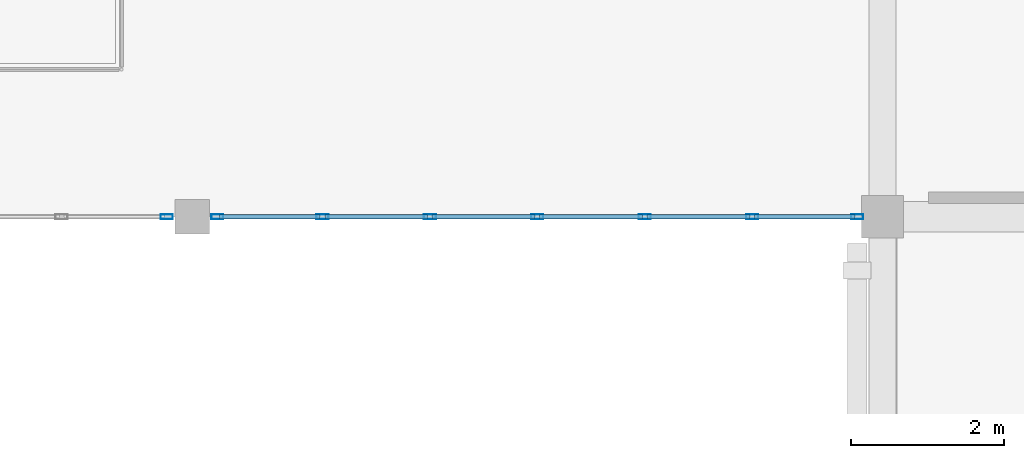
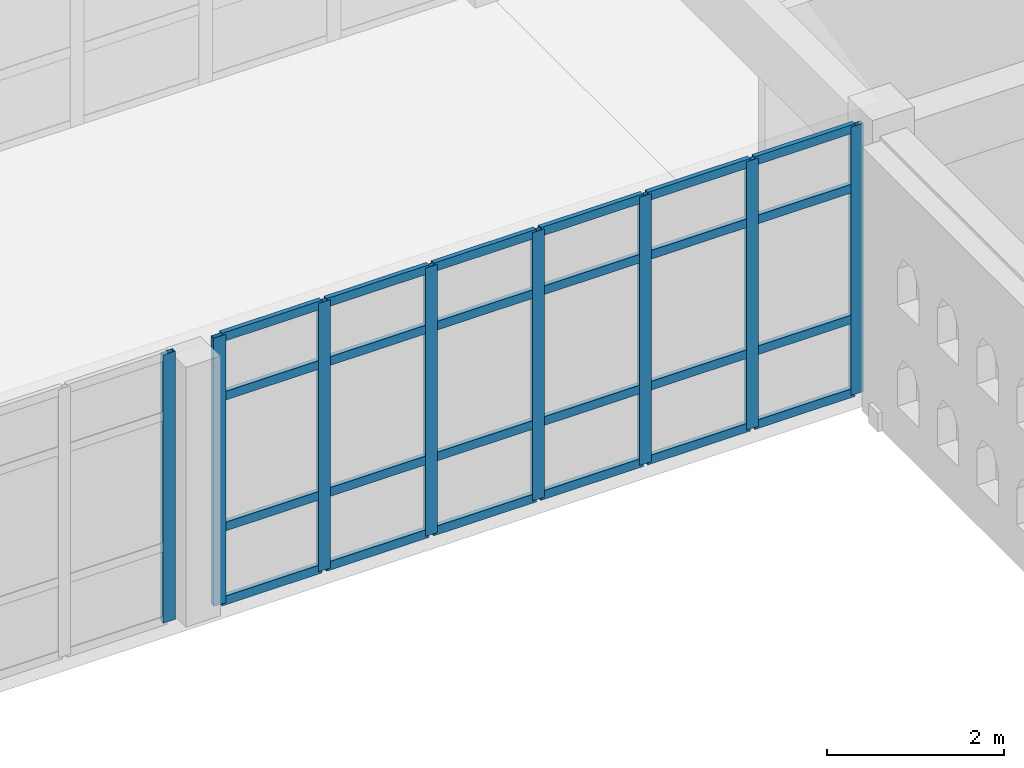
# One storey, part 76 of 156: 32 members, 2 elements without a shape of their own.
"""IFC4 building model written with IfcOpenShell, lengths in metres."""

import ifcopenshell
import ifcopenshell.guid

model = None  # the IFC model being written
_history = None  # IfcOwnerHistory: only IFC2X3 demands one
_inside = {}  # id of a spatial element -> (the spatial element, [elements in it])
_under = {}  # id of a project, library or spatial element -> (it, [spatial elements below it])
_declared = {}  # id of a project -> (the project, [libraries it declares])
_typed = {}  # id of a type object -> (the type object, [elements of that type])
_made_of = {}  # id of a material, layer set ... -> (it, [elements and type objects made of it])


def new_model(schema):
    """Start an empty IFC model of exactly this schema.

    Asked for "IFC4X3", IfcOpenShell would pick the latest addendum, in which some entities
    have other attributes; the version numbers below select the first issue.
    IFC2X3 requires an IfcOwnerHistory on every rooted entity: one is made here for all.
    """
    global model, _history
    if schema == "IFC4X3":
        model = ifcopenshell.file(schema_version=(4, 3, 0, 0))
    else:
        model = ifcopenshell.file(schema=schema)
    _inside.clear()
    _under.clear()
    _declared.clear()
    _typed.clear()
    _made_of.clear()
    _history = None
    if model.schema == "IFC2X3":
        org = make("IfcOrganization", Name="unknown")
        user = make(
            "IfcPersonAndOrganization",
            ThePerson=make("IfcPerson", FamilyName="unknown"),
            TheOrganization=org,
        )
        app = make(
            "IfcApplication",
            ApplicationDeveloper=org,
            Version="unknown",
            ApplicationFullName="unknown",
            ApplicationIdentifier="unknown",
        )
        _history = make(
            "IfcOwnerHistory",
            OwningUser=user,
            OwningApplication=app,
            ChangeAction="ADDED",
            CreationDate=0,
        )
    return model


def make(cls, **values):
    """One entity of the class cls with the attributes given. An attribute that is None is left unset."""
    return model.create_entity(
        cls, **{name: value for name, value in values.items() if value is not None}
    )


def rooted(cls, **values):
    """An entity with a GlobalId (a new one), such as an element, a storey or a relation."""
    return make(cls, GlobalId=ifcopenshell.guid.new(), OwnerHistory=_history, **values)


def si_unit(unit_type, name, prefix=None):
    """IfcSIUnit, for example si_unit("LENGTHUNIT", "METRE", prefix="MILLI")."""
    return make("IfcSIUnit", UnitType=unit_type, Prefix=prefix, Name=name)


def assignment(units):
    """IfcUnitAssignment: the units of a project."""
    return None if units is None else make("IfcUnitAssignment", Units=units)


def point(xyz):
    """IfcCartesianPoint."""
    return None if xyz is None else make("IfcCartesianPoint", Coordinates=xyz)


def direction(xyz):
    """IfcDirection."""
    return None if xyz is None else make("IfcDirection", DirectionRatios=xyz)


def frame(location, z_axis=None, x_axis=None):
    """IfcAxis2Placement3D, a coordinate frame: its origin and axes. An axis left out is left unset."""
    return make(
        "IfcAxis2Placement3D",
        Location=point(location),
        Axis=direction(z_axis),
        RefDirection=direction(x_axis),
    )


def frame_2d(location, x_axis=None):
    """IfcAxis2Placement2D, a coordinate frame in the plane: its origin and x axis."""
    return make(
        "IfcAxis2Placement2D", Location=point(location), RefDirection=direction(x_axis)
    )


def origin():
    """The frame at (0, 0, 0) with its axes left unset."""
    return frame((0.0, 0.0, 0.0))


def origin_2d():
    """The frame at (0, 0) in the plane with its x axis left unset."""
    return frame_2d((0.0, 0.0))


def place(relative_to, where):
    """IfcLocalPlacement: puts the frame where relative to a parent placement (None: the world)."""
    return make(
        "IfcLocalPlacement", PlacementRelTo=relative_to, RelativePlacement=where
    )


def context(
    kind, dimensions, precision=None, world=None, true_north=None, identifier=None
):
    """IfcGeometricRepresentationContext, for example the 3D "Model" context."""
    return make(
        "IfcGeometricRepresentationContext",
        ContextIdentifier=identifier,
        ContextType=kind,
        CoordinateSpaceDimension=dimensions,
        Precision=precision,
        WorldCoordinateSystem=world,
        TrueNorth=true_north,
    )


def subcontext(parent, identifier, kind, view, scale=None):
    """IfcGeometricRepresentationSubContext, for example "Body" below "Model"."""
    return make(
        "IfcGeometricRepresentationSubContext",
        ContextIdentifier=identifier,
        ContextType=kind,
        ParentContext=parent,
        TargetScale=scale,
        TargetView=view,
    )


def project(units=None, contexts=None):
    """IfcProject with its units and contexts."""
    return rooted(
        "IfcProject",
        Name="project",
        RepresentationContexts=contexts,
        UnitsInContext=assignment(units),
    )


def spatial(cls, under=None, at=None, **own):
    """A site, building, storey or space (cls), placed at a placement, below another one or the project."""
    s = rooted(cls, ObjectPlacement=at, **own)
    if under is not None:
        _under.setdefault(under.id(), (under, []))[1].append(s)
    return s


def profile(cls, at=None, kind="AREA", **sizes):
    """A parametric profile (cls). Its sizes go by their IFC names, for example OverallWidth=200.0."""
    return make(cls, ProfileType=kind, Position=at, **sizes)


def hollow_rectangle(**sizes):
    """IfcRectangleHollowProfileDef."""
    return profile("IfcRectangleHollowProfileDef", **sizes)


def extrude(swept, where, along, depth):
    """IfcExtrudedAreaSolid: the profile swept, set in the frame where, extruded along a direction by depth."""
    return make(
        "IfcExtrudedAreaSolid",
        SweptArea=swept,
        Position=where,
        ExtrudedDirection=direction(along),
        Depth=depth,
    )


def shape(context_of_items, identifier, shape_type, items):
    """IfcShapeRepresentation: the items that make up one representation, for example the "Body"."""
    return make(
        "IfcShapeRepresentation",
        ContextOfItems=context_of_items,
        RepresentationIdentifier=identifier,
        RepresentationType=shape_type,
        Items=items,
    )


def material(Name=None, Category=None):
    """IfcMaterial."""
    return make("IfcMaterial", Name=Name, Category=Category)


def layer(
    of_material, thickness, ventilated=None, Name=None, Category=None, Priority=None
):
    """IfcMaterialLayer: one layer of a wall or slab, of a material (None: an air gap)."""
    return make(
        "IfcMaterialLayer",
        Material=of_material,
        LayerThickness=thickness,
        IsVentilated=ventilated,
        Name=Name,
        Category=Category,
        Priority=Priority,
    )


def layer_set(layers, Name=None):
    """IfcMaterialLayerSet."""
    return make("IfcMaterialLayerSet", MaterialLayers=layers, LayerSetName=Name)


def material_profile(
    of_material, cross_section, Name=None, Category=None, Priority=None
):
    """IfcMaterialProfile: a cross section and its material."""
    return make(
        "IfcMaterialProfile",
        Name=Name,
        Material=of_material,
        Profile=cross_section,
        Priority=Priority,
        Category=Category,
    )


def profile_set(profiles, Name=None, composite=None):
    """IfcMaterialProfileSet."""
    return make(
        "IfcMaterialProfileSet",
        Name=Name,
        MaterialProfiles=profiles,
        CompositeProfile=composite,
    )


def made_of(thing, what):
    """Note that an element or type object is made of a material, layer set ...; save() writes the relation."""
    if what is not None:
        _made_of.setdefault(what.id(), (what, []))[1].append(thing)
    return thing


def type_object(cls, material=None, **own):
    """A type object (cls), such as IfcWallType, which elements share."""
    return made_of(rooted(cls, **own), material)


def element(
    cls,
    number,
    at=None,
    inside=None,
    cuts=None,
    type_object=None,
    material=None,
    context=None,
    identifier="Body",
    shape_type=None,
    held_by="IfcProductDefinitionShape",
    body=None,
    shapes=None,
    **own,
):
    """One element of the class cls, such as IfcWall. Its Tag is "e" and its number.

    at: its placement. inside: the storey or other place that contains it. cuts: it is an
    opening in that element (IfcRelVoidsElement). A single representation is given by context,
    identifier, shape_type and body (its items); several are given by shapes. held_by: the class
    of the entity that holds the representations. save() writes the other relations.
    """
    e = rooted(cls, Tag="e%d" % number, ObjectPlacement=at, **own)
    if body is not None:
        shapes = [shape(context, identifier, shape_type, body)]
    if shapes is not None:
        e.Representation = make(held_by, Representations=shapes)
    if inside is not None:
        _inside.setdefault(inside.id(), (inside, []))[1].append(e)
    if cuts is not None:
        rooted(
            "IfcRelVoidsElement", RelatingBuildingElement=cuts, RelatedOpeningElement=e
        )
    if type_object is not None:
        _typed.setdefault(type_object.id(), (type_object, []))[1].append(e)
    return made_of(e, material)


def aggregate(whole, parts):
    """IfcRelAggregates: a whole, such as a stair, and the parts it consists of."""
    return rooted("IfcRelAggregates", RelatingObject=whole, RelatedObjects=parts)


def save(model, path):
    """Write the relations noted so far, then the file.

    IfcRelAggregates (storeys below a building ...), IfcRelContainedInSpatialStructure (elements
    in a storey), IfcRelDefinesByType, IfcRelAssociatesMaterial and IfcRelDeclares: one each for
    every whole, place, type object, material and project.
    """
    for whole, parts in _under.values():
        aggregate(whole, parts)
    for where, things in _inside.values():
        rooted(
            "IfcRelContainedInSpatialStructure",
            RelatedElements=things,
            RelatingStructure=where,
        )
    for kind, things in _typed.values():
        rooted("IfcRelDefinesByType", RelatedObjects=things, RelatingType=kind)
    for what, things in _made_of.values():
        rooted("IfcRelAssociatesMaterial", RelatedObjects=things, RelatingMaterial=what)
    for by, libraries in _declared.values():
        rooted("IfcRelDeclares", RelatingContext=by, RelatedDefinitions=libraries)
    model.write(path)


model = new_model("IFC4")

# Units and contexts
model_context = context("Model", 3, precision=1e-05, world=origin(), true_north=direction((0.0, 1.0)))
body_context = subcontext(model_context, "Body", "Model", "MODEL_VIEW")
ifc_project = project(units=[si_unit("LENGTHUNIT", "METRE"), si_unit("AREAUNIT", "SQUARE_METRE"), si_unit("VOLUMEUNIT", "CUBIC_METRE"), si_unit("PLANEANGLEUNIT", "RADIAN"), si_unit("MASSUNIT", "GRAM", prefix="KILO")], contexts=[model_context])

# Site, building, storey
site_placement = place(None, origin())
site = spatial("IfcSite", under=ifc_project, at=site_placement, CompositionType="ELEMENT")
building_placement = place(site_placement, origin())
building = spatial("IfcBuilding", under=site, at=building_placement, Name="Ornek Quay Market", CompositionType="ELEMENT")
storey_placement = place(building_placement, frame((0.0, 0.0, 4.5)))
storey = spatial("IfcBuildingStorey", under=building, at=storey_placement, Name="L01", CompositionType="ELEMENT", Elevation=4.5)

# Curtain wall, member
ifc_material_1 = material(Name="Anodised bronze aluminium and triple low-e glass", Category="aluminium")
ifc_layer = layer(ifc_material_1, 0.179931640625, Name="Anodised bronze aluminium and triple low-e glass", Category="aluminium")
ifc_layer_set = layer_set([ifc_layer], Name="Anodised bronze aluminium and triple low-e glass")
curtain_wall_type = type_object("IfcCurtainWallType", Name="CW-CONC-MOD1500", PredefinedType="USERDEFINED", material=ifc_layer_set)
curtain_wall_1_placement = place(storey_placement, origin())
curtain_wall_1 = element("IfcCurtainWall", 1, at=curtain_wall_1_placement, inside=storey, type_object=curtain_wall_type, Name="Curtain wall CW-040", ObjectType="CURTAIN WALL", PredefinedType="USERDEFINED")
ifc_material_2 = material(Name="Anodised aluminium 6063-T6", Category="aluminium")
ifc_material_profile_1 = material_profile(ifc_material_2, hollow_rectangle(XDim=0.06005859375, YDim=0.159912109375, WallThickness=0.00390625, at=origin_2d()), Name="CW-MUL-60x160", Category="aluminium")
ifc_profile_set_1 = profile_set([ifc_material_profile_1], Name="Anodised aluminium 6063-T6")
member_type_1 = type_object("IfcMemberType", Name="CW-MUL-60x160", PredefinedType="MULLION", material=ifc_profile_set_1)
member_1_placement = place(storey_placement, frame((143.669921875, 20.0, 0.0), z_axis=(0.0, 0.0, 1.0), x_axis=(0.0, 1.0, 0.0)))
member_1 = element("IfcMember", 2, at=member_1_placement, type_object=member_type_1, Name="CW-040 mullion 7", PredefinedType="MULLION", context=body_context, shape_type="SweptSolid", body=[
    extrude(hollow_rectangle(XDim=0.06005859375, YDim=0.159912109375, WallThickness=0.00390625, at=origin_2d()), origin(), (0.0, 0.0, 1.0), 3.7099609375),
])
aggregate(curtain_wall_1, [member_1])

# Curtain wall, members
curtain_wall_2_placement = place(storey_placement, origin())
curtain_wall_2 = element("IfcCurtainWall", 3, at=curtain_wall_2_placement, inside=storey, type_object=curtain_wall_type, Name="Curtain wall CW-044", ObjectType="CURTAIN WALL", PredefinedType="USERDEFINED")
member_2_placement = place(storey_placement, frame((144.330078125, 20.0, 0.0), z_axis=(0.0, 0.0, 1.0), x_axis=(0.0, 1.0, 0.0)))
member_2 = element("IfcMember", 4, at=member_2_placement, type_object=member_type_1, Name="CW-044 mullion 1", PredefinedType="MULLION", context=body_context, shape_type="SweptSolid", body=[
    extrude(hollow_rectangle(XDim=0.06005859375, YDim=0.159912109375, WallThickness=0.00390625, at=origin_2d()), origin(), (0.0, 0.0, 1.0), 3.7099609375),
])
member_3_placement = place(storey_placement, frame((145.699951171875, 20.0, 0.0), z_axis=(0.0, 0.0, 1.0), x_axis=(0.0, 1.0, 0.0)))
member_3 = element("IfcMember", 5, at=member_3_placement, type_object=member_type_1, Name="CW-044 mullion 2", PredefinedType="MULLION", context=body_context, shape_type="SweptSolid", body=[
    extrude(hollow_rectangle(XDim=0.06005859375, YDim=0.159912109375, WallThickness=0.00390625, at=origin_2d()), origin(), (0.0, 0.0, 1.0), 3.7099609375),
])
member_4_placement = place(storey_placement, frame((147.10009765625, 20.0, 0.0), z_axis=(0.0, 0.0, 1.0), x_axis=(0.0, 1.0, 0.0)))
member_4 = element("IfcMember", 6, at=member_4_placement, type_object=member_type_1, Name="CW-044 mullion 3", PredefinedType="MULLION", context=body_context, shape_type="SweptSolid", body=[
    extrude(hollow_rectangle(XDim=0.06005859375, YDim=0.159912109375, WallThickness=0.00390625, at=origin_2d()), origin(), (0.0, 0.0, 1.0), 3.7099609375),
])
member_5_placement = place(storey_placement, frame((148.5, 20.0, 0.0), z_axis=(0.0, 0.0, 1.0), x_axis=(0.0, 1.0, 0.0)))
member_5 = element("IfcMember", 7, at=member_5_placement, type_object=member_type_1, Name="CW-044 mullion 4", PredefinedType="MULLION", context=body_context, shape_type="SweptSolid", body=[
    extrude(hollow_rectangle(XDim=0.06005859375, YDim=0.159912109375, WallThickness=0.00390625, at=origin_2d()), origin(), (0.0, 0.0, 1.0), 3.7099609375),
])
member_6_placement = place(storey_placement, frame((149.89990234375, 20.0, 0.0), z_axis=(0.0, 0.0, 1.0), x_axis=(0.0, 1.0, 0.0)))
member_6 = element("IfcMember", 8, at=member_6_placement, type_object=member_type_1, Name="CW-044 mullion 5", PredefinedType="MULLION", context=body_context, shape_type="SweptSolid", body=[
    extrude(hollow_rectangle(XDim=0.06005859375, YDim=0.159912109375, WallThickness=0.00390625, at=origin_2d()), origin(), (0.0, 0.0, 1.0), 3.7099609375),
])
member_7_placement = place(storey_placement, frame((151.300048828125, 20.0, 0.0), z_axis=(0.0, 0.0, 1.0), x_axis=(0.0, 1.0, 0.0)))
member_7 = element("IfcMember", 9, at=member_7_placement, type_object=member_type_1, Name="CW-044 mullion 6", PredefinedType="MULLION", context=body_context, shape_type="SweptSolid", body=[
    extrude(hollow_rectangle(XDim=0.06005859375, YDim=0.159912109375, WallThickness=0.00390625, at=origin_2d()), origin(), (0.0, 0.0, 1.0), 3.7099609375),
])
member_8_placement = place(storey_placement, frame((152.669921875, 20.0, 0.0), z_axis=(0.0, 0.0, 1.0), x_axis=(0.0, 1.0, 0.0)))
member_8 = element("IfcMember", 10, at=member_8_placement, type_object=member_type_1, Name="CW-044 mullion 7", PredefinedType="MULLION", context=body_context, shape_type="SweptSolid", body=[
    extrude(hollow_rectangle(XDim=0.06005859375, YDim=0.159912109375, WallThickness=0.00390625, at=origin_2d()), origin(), (0.0, 0.0, 1.0), 3.7099609375),
])
ifc_material_profile_2 = material_profile(ifc_material_2, hollow_rectangle(XDim=0.06005859375, YDim=0.1201171875, WallThickness=0.00390625, at=origin_2d()), Name="CW-TRN-60x120", Category="aluminium")
ifc_profile_set_2 = profile_set([ifc_material_profile_2], Name="Anodised aluminium 6063-T6")
member_type_2 = type_object("IfcMemberType", Name="CW-TRN-60x120", PredefinedType="USERDEFINED", material=ifc_profile_set_2)
member_9_placement = place(storey_placement, frame((144.360107421875, 20.0, 0.030029296875), z_axis=(1.0, 0.0, 0.0), x_axis=(0.0, 1.0, 0.0)))
member_9 = element("IfcMember", 11, at=member_9_placement, type_object=member_type_2, Name="CW-044 transom 1.1", ObjectType="TRANSOM", PredefinedType="USERDEFINED", context=body_context, shape_type="SweptSolid", body=[
    extrude(hollow_rectangle(XDim=0.06005859375, YDim=0.1201171875, WallThickness=0.00390625, at=origin_2d()), origin(), (0.0, 0.0, 1.0), 1.309814453125),
])
member_10_placement = place(storey_placement, frame((144.360107421875, 20.0, 1.050048828125), z_axis=(1.0, 0.0, 0.0), x_axis=(0.0, 1.0, 0.0)))
member_10 = element("IfcMember", 12, at=member_10_placement, type_object=member_type_2, Name="CW-044 transom 1.2", ObjectType="TRANSOM", PredefinedType="USERDEFINED", context=body_context, shape_type="SweptSolid", body=[
    extrude(hollow_rectangle(XDim=0.06005859375, YDim=0.1201171875, WallThickness=0.00390625, at=origin_2d()), origin(), (0.0, 0.0, 1.0), 1.309814453125),
])
member_11_placement = place(storey_placement, frame((144.360107421875, 20.0, 2.860107421875), z_axis=(1.0, 0.0, 0.0), x_axis=(0.0, 1.0, 0.0)))
member_11 = element("IfcMember", 13, at=member_11_placement, type_object=member_type_2, Name="CW-044 transom 1.3", ObjectType="TRANSOM", PredefinedType="USERDEFINED", context=body_context, shape_type="SweptSolid", body=[
    extrude(hollow_rectangle(XDim=0.06005859375, YDim=0.1201171875, WallThickness=0.00390625, at=origin_2d()), origin(), (0.0, 0.0, 1.0), 1.309814453125),
])
member_12_placement = place(storey_placement, frame((144.360107421875, 20.0, 3.679931640625), z_axis=(1.0, 0.0, 0.0), x_axis=(0.0, 1.0, 0.0)))
member_12 = element("IfcMember", 14, at=member_12_placement, type_object=member_type_2, Name="CW-044 transom 1.4", ObjectType="TRANSOM", PredefinedType="USERDEFINED", context=body_context, shape_type="SweptSolid", body=[
    extrude(hollow_rectangle(XDim=0.06005859375, YDim=0.1201171875, WallThickness=0.00390625, at=origin_2d()), origin(), (0.0, 0.0, 1.0), 1.309814453125),
])
member_13_placement = place(storey_placement, frame((145.72998046875, 20.0, 0.030029296875), z_axis=(1.0, 0.0, 0.0), x_axis=(0.0, 1.0, 0.0)))
member_13 = element("IfcMember", 15, at=member_13_placement, type_object=member_type_2, Name="CW-044 transom 2.1", ObjectType="TRANSOM", PredefinedType="USERDEFINED", context=body_context, shape_type="SweptSolid", body=[
    extrude(hollow_rectangle(XDim=0.06005859375, YDim=0.1201171875, WallThickness=0.00390625, at=origin_2d()), origin(), (0.0, 0.0, 1.0), 1.340087890625),
])
member_14_placement = place(storey_placement, frame((145.72998046875, 20.0, 1.050048828125), z_axis=(1.0, 0.0, 0.0), x_axis=(0.0, 1.0, 0.0)))
member_14 = element("IfcMember", 16, at=member_14_placement, type_object=member_type_2, Name="CW-044 transom 2.2", ObjectType="TRANSOM", PredefinedType="USERDEFINED", context=body_context, shape_type="SweptSolid", body=[
    extrude(hollow_rectangle(XDim=0.06005859375, YDim=0.1201171875, WallThickness=0.00390625, at=origin_2d()), origin(), (0.0, 0.0, 1.0), 1.340087890625),
])
member_15_placement = place(storey_placement, frame((145.72998046875, 20.0, 2.860107421875), z_axis=(1.0, 0.0, 0.0), x_axis=(0.0, 1.0, 0.0)))
member_15 = element("IfcMember", 17, at=member_15_placement, type_object=member_type_2, Name="CW-044 transom 2.3", ObjectType="TRANSOM", PredefinedType="USERDEFINED", context=body_context, shape_type="SweptSolid", body=[
    extrude(hollow_rectangle(XDim=0.06005859375, YDim=0.1201171875, WallThickness=0.00390625, at=origin_2d()), origin(), (0.0, 0.0, 1.0), 1.340087890625),
])
member_16_placement = place(storey_placement, frame((145.72998046875, 20.0, 3.679931640625), z_axis=(1.0, 0.0, 0.0), x_axis=(0.0, 1.0, 0.0)))
member_16 = element("IfcMember", 18, at=member_16_placement, type_object=member_type_2, Name="CW-044 transom 2.4", ObjectType="TRANSOM", PredefinedType="USERDEFINED", context=body_context, shape_type="SweptSolid", body=[
    extrude(hollow_rectangle(XDim=0.06005859375, YDim=0.1201171875, WallThickness=0.00390625, at=origin_2d()), origin(), (0.0, 0.0, 1.0), 1.340087890625),
])
member_17_placement = place(storey_placement, frame((147.1298828125, 20.0, 0.030029296875), z_axis=(1.0, 0.0, 0.0), x_axis=(0.0, 1.0, 0.0)))
member_17 = element("IfcMember", 19, at=member_17_placement, type_object=member_type_2, Name="CW-044 transom 3.1", ObjectType="TRANSOM", PredefinedType="USERDEFINED", context=body_context, shape_type="SweptSolid", body=[
    extrude(hollow_rectangle(XDim=0.06005859375, YDim=0.1201171875, WallThickness=0.00390625, at=origin_2d()), origin(), (0.0, 0.0, 1.0), 1.340087890625),
])
member_18_placement = place(storey_placement, frame((147.1298828125, 20.0, 1.050048828125), z_axis=(1.0, 0.0, 0.0), x_axis=(0.0, 1.0, 0.0)))
member_18 = element("IfcMember", 20, at=member_18_placement, type_object=member_type_2, Name="CW-044 transom 3.2", ObjectType="TRANSOM", PredefinedType="USERDEFINED", context=body_context, shape_type="SweptSolid", body=[
    extrude(hollow_rectangle(XDim=0.06005859375, YDim=0.1201171875, WallThickness=0.00390625, at=origin_2d()), origin(), (0.0, 0.0, 1.0), 1.340087890625),
])
member_19_placement = place(storey_placement, frame((147.1298828125, 20.0, 2.860107421875), z_axis=(1.0, 0.0, 0.0), x_axis=(0.0, 1.0, 0.0)))
member_19 = element("IfcMember", 21, at=member_19_placement, type_object=member_type_2, Name="CW-044 transom 3.3", ObjectType="TRANSOM", PredefinedType="USERDEFINED", context=body_context, shape_type="SweptSolid", body=[
    extrude(hollow_rectangle(XDim=0.06005859375, YDim=0.1201171875, WallThickness=0.00390625, at=origin_2d()), origin(), (0.0, 0.0, 1.0), 1.340087890625),
])
member_20_placement = place(storey_placement, frame((147.1298828125, 20.0, 3.679931640625), z_axis=(1.0, 0.0, 0.0), x_axis=(0.0, 1.0, 0.0)))
member_20 = element("IfcMember", 22, at=member_20_placement, type_object=member_type_2, Name="CW-044 transom 3.4", ObjectType="TRANSOM", PredefinedType="USERDEFINED", context=body_context, shape_type="SweptSolid", body=[
    extrude(hollow_rectangle(XDim=0.06005859375, YDim=0.1201171875, WallThickness=0.00390625, at=origin_2d()), origin(), (0.0, 0.0, 1.0), 1.340087890625),
])
member_21_placement = place(storey_placement, frame((148.530029296875, 20.0, 0.030029296875), z_axis=(1.0, 0.0, 0.0), x_axis=(0.0, 1.0, 0.0)))
member_21 = element("IfcMember", 23, at=member_21_placement, type_object=member_type_2, Name="CW-044 transom 4.1", ObjectType="TRANSOM", PredefinedType="USERDEFINED", context=body_context, shape_type="SweptSolid", body=[
    extrude(hollow_rectangle(XDim=0.06005859375, YDim=0.1201171875, WallThickness=0.00390625, at=origin_2d()), origin(), (0.0, 0.0, 1.0), 1.340087890625),
])
member_22_placement = place(storey_placement, frame((148.530029296875, 20.0, 1.050048828125), z_axis=(1.0, 0.0, 0.0), x_axis=(0.0, 1.0, 0.0)))
member_22 = element("IfcMember", 24, at=member_22_placement, type_object=member_type_2, Name="CW-044 transom 4.2", ObjectType="TRANSOM", PredefinedType="USERDEFINED", context=body_context, shape_type="SweptSolid", body=[
    extrude(hollow_rectangle(XDim=0.06005859375, YDim=0.1201171875, WallThickness=0.00390625, at=origin_2d()), origin(), (0.0, 0.0, 1.0), 1.340087890625),
])
member_23_placement = place(storey_placement, frame((148.530029296875, 20.0, 2.860107421875), z_axis=(1.0, 0.0, 0.0), x_axis=(0.0, 1.0, 0.0)))
member_23 = element("IfcMember", 25, at=member_23_placement, type_object=member_type_2, Name="CW-044 transom 4.3", ObjectType="TRANSOM", PredefinedType="USERDEFINED", context=body_context, shape_type="SweptSolid", body=[
    extrude(hollow_rectangle(XDim=0.06005859375, YDim=0.1201171875, WallThickness=0.00390625, at=origin_2d()), origin(), (0.0, 0.0, 1.0), 1.340087890625),
])
member_24_placement = place(storey_placement, frame((148.530029296875, 20.0, 3.679931640625), z_axis=(1.0, 0.0, 0.0), x_axis=(0.0, 1.0, 0.0)))
member_24 = element("IfcMember", 26, at=member_24_placement, type_object=member_type_2, Name="CW-044 transom 4.4", ObjectType="TRANSOM", PredefinedType="USERDEFINED", context=body_context, shape_type="SweptSolid", body=[
    extrude(hollow_rectangle(XDim=0.06005859375, YDim=0.1201171875, WallThickness=0.00390625, at=origin_2d()), origin(), (0.0, 0.0, 1.0), 1.340087890625),
])
member_25_placement = place(storey_placement, frame((149.929931640625, 20.0, 0.030029296875), z_axis=(1.0, 0.0, 0.0), x_axis=(0.0, 1.0, 0.0)))
member_25 = element("IfcMember", 27, at=member_25_placement, type_object=member_type_2, Name="CW-044 transom 5.1", ObjectType="TRANSOM", PredefinedType="USERDEFINED", context=body_context, shape_type="SweptSolid", body=[
    extrude(hollow_rectangle(XDim=0.06005859375, YDim=0.1201171875, WallThickness=0.00390625, at=origin_2d()), origin(), (0.0, 0.0, 1.0), 1.340087890625),
])
member_26_placement = place(storey_placement, frame((149.929931640625, 20.0, 1.050048828125), z_axis=(1.0, 0.0, 0.0), x_axis=(0.0, 1.0, 0.0)))
member_26 = element("IfcMember", 28, at=member_26_placement, type_object=member_type_2, Name="CW-044 transom 5.2", ObjectType="TRANSOM", PredefinedType="USERDEFINED", context=body_context, shape_type="SweptSolid", body=[
    extrude(hollow_rectangle(XDim=0.06005859375, YDim=0.1201171875, WallThickness=0.00390625, at=origin_2d()), origin(), (0.0, 0.0, 1.0), 1.340087890625),
])
member_27_placement = place(storey_placement, frame((149.929931640625, 20.0, 2.860107421875), z_axis=(1.0, 0.0, 0.0), x_axis=(0.0, 1.0, 0.0)))
member_27 = element("IfcMember", 29, at=member_27_placement, type_object=member_type_2, Name="CW-044 transom 5.3", ObjectType="TRANSOM", PredefinedType="USERDEFINED", context=body_context, shape_type="SweptSolid", body=[
    extrude(hollow_rectangle(XDim=0.06005859375, YDim=0.1201171875, WallThickness=0.00390625, at=origin_2d()), origin(), (0.0, 0.0, 1.0), 1.340087890625),
])
member_28_placement = place(storey_placement, frame((149.929931640625, 20.0, 3.679931640625), z_axis=(1.0, 0.0, 0.0), x_axis=(0.0, 1.0, 0.0)))
member_28 = element("IfcMember", 30, at=member_28_placement, type_object=member_type_2, Name="CW-044 transom 5.4", ObjectType="TRANSOM", PredefinedType="USERDEFINED", context=body_context, shape_type="SweptSolid", body=[
    extrude(hollow_rectangle(XDim=0.06005859375, YDim=0.1201171875, WallThickness=0.00390625, at=origin_2d()), origin(), (0.0, 0.0, 1.0), 1.340087890625),
])
member_29_placement = place(storey_placement, frame((151.330078125, 20.0, 0.030029296875), z_axis=(1.0, 0.0, 0.0), x_axis=(0.0, 1.0, 0.0)))
member_29 = element("IfcMember", 31, at=member_29_placement, type_object=member_type_2, Name="CW-044 transom 6.1", ObjectType="TRANSOM", PredefinedType="USERDEFINED", context=body_context, shape_type="SweptSolid", body=[
    extrude(hollow_rectangle(XDim=0.06005859375, YDim=0.1201171875, WallThickness=0.00390625, at=origin_2d()), origin(), (0.0, 0.0, 1.0), 1.309814453125),
])
member_30_placement = place(storey_placement, frame((151.330078125, 20.0, 1.050048828125), z_axis=(1.0, 0.0, 0.0), x_axis=(0.0, 1.0, 0.0)))
member_30 = element("IfcMember", 32, at=member_30_placement, type_object=member_type_2, Name="CW-044 transom 6.2", ObjectType="TRANSOM", PredefinedType="USERDEFINED", context=body_context, shape_type="SweptSolid", body=[
    extrude(hollow_rectangle(XDim=0.06005859375, YDim=0.1201171875, WallThickness=0.00390625, at=origin_2d()), origin(), (0.0, 0.0, 1.0), 1.309814453125),
])
member_31_placement = place(storey_placement, frame((151.330078125, 20.0, 2.860107421875), z_axis=(1.0, 0.0, 0.0), x_axis=(0.0, 1.0, 0.0)))
member_31 = element("IfcMember", 33, at=member_31_placement, type_object=member_type_2, Name="CW-044 transom 6.3", ObjectType="TRANSOM", PredefinedType="USERDEFINED", context=body_context, shape_type="SweptSolid", body=[
    extrude(hollow_rectangle(XDim=0.06005859375, YDim=0.1201171875, WallThickness=0.00390625, at=origin_2d()), origin(), (0.0, 0.0, 1.0), 1.309814453125),
])
member_32_placement = place(storey_placement, frame((151.330078125, 20.0, 3.679931640625), z_axis=(1.0, 0.0, 0.0), x_axis=(0.0, 1.0, 0.0)))
member_32 = element("IfcMember", 34, at=member_32_placement, type_object=member_type_2, Name="CW-044 transom 6.4", ObjectType="TRANSOM", PredefinedType="USERDEFINED", context=body_context, shape_type="SweptSolid", body=[
    extrude(hollow_rectangle(XDim=0.06005859375, YDim=0.1201171875, WallThickness=0.00390625, at=origin_2d()), origin(), (0.0, 0.0, 1.0), 1.309814453125),
])
aggregate(curtain_wall_2, [member_2, member_3, member_4, member_5, member_6, member_7, member_8, member_9, member_10, member_11, member_12, member_13, member_14, member_15, member_16, member_17, member_18, member_19, member_20, member_21, member_22, member_23, member_24, member_25, member_26, member_27, member_28, member_29, member_30, member_31, member_32])

save(model, "model.ifc")
